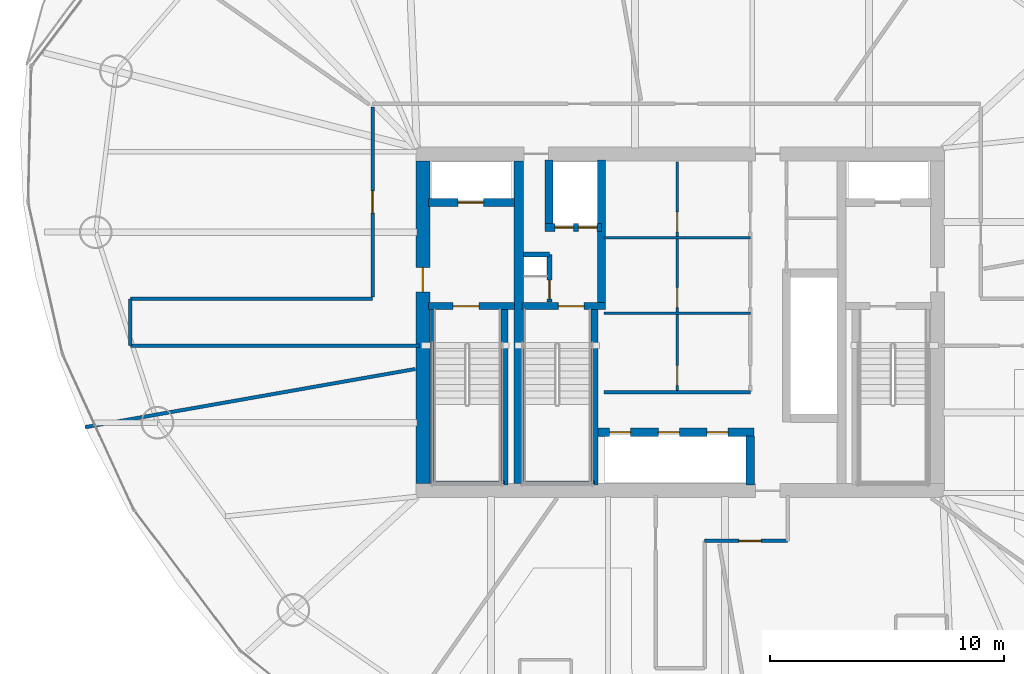
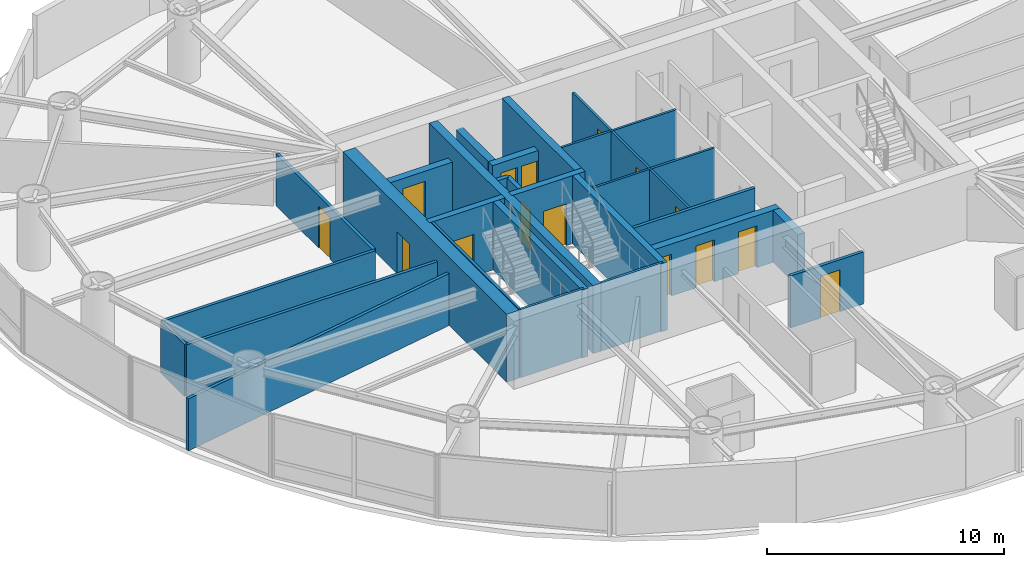
# One storey, part 15 of 20: 27 walls, 15 doors, 15 openings.
"""IFC4 building model written with IfcOpenShell, lengths in metres."""

from ifc_helpers import new_model, si_unit, direction, frame, frame_2d, origin, place, context, subcontext, project, spatial, rectangle, extrude, material, layer, layer_set, type_object, element, fill, save


model = new_model("IFC4")

# Units and contexts
model_context = context("Model", 3, precision=1e-05, world=origin(), true_north=direction((0.0, 1.0)))
body_context = subcontext(model_context, "Body", "Model", "MODEL_VIEW")
ifc_project = project(units=[si_unit("LENGTHUNIT", "METRE"), si_unit("AREAUNIT", "SQUARE_METRE"), si_unit("VOLUMEUNIT", "CUBIC_METRE"), si_unit("PLANEANGLEUNIT", "RADIAN"), si_unit("MASSUNIT", "GRAM", prefix="KILO")], contexts=[model_context])

# Site, building, storey
site_placement = place(None, origin())
site = spatial("IfcSite", under=ifc_project, at=site_placement, CompositionType="ELEMENT")
building_placement = place(site_placement, origin())
building = spatial("IfcBuilding", under=site, at=building_placement, Name="Bramvorn Convention Spire", CompositionType="ELEMENT")
storey_placement = place(building_placement, frame((0.0, 0.0, 155.300048828125)))
storey = spatial("IfcBuildingStorey", under=building, at=storey_placement, Name="L39", CompositionType="ELEMENT", Elevation=155.300048828125)

# Wall, opening, door
ifc_material_1 = material(Name="Concrete C60/70", Category="concrete")
ifc_layer_1 = layer(ifc_material_1, 0.60009765625)
ifc_layer_set_1 = layer_set([ifc_layer_1], Name="Concrete C60/70 - WL-CORE-600")
wall_type_1 = type_object("IfcWallType", Name="WL-CORE-600", PredefinedType="SHEAR", material=ifc_layer_set_1)
wall_1_placement = place(storey_placement, frame((27.0, 19.10009765625, 0.0), z_axis=(0.0, 0.0, 1.0), x_axis=(0.0, 1.0, 0.0)))
wall_1 = element("IfcWall", 1, at=wall_1_placement, inside=storey, type_object=wall_type_1, Name="L39 West RC core shear wall", PredefinedType="SHEAR", context=body_context, shape_type="SweptSolid", body=[
    extrude(rectangle(XDim=13.7998046875, YDim=0.60009765625, at=frame_2d((6.89990234375, 0.0))), origin(), (0.0, 0.0, 1.0), 3.5),
])
opening_1_placement = place(wall_1_placement, frame((8.199951171875, 0.0, 0.0)))
opening_1 = element("IfcOpeningElement", 2, at=opening_1_placement, cuts=wall_1, Name="Opening DL-105", PredefinedType="OPENING", context=body_context, shape_type="SweptSolid", body=[
    extrude(rectangle(XDim=1.050048828125, YDim=2.14990234375, at=frame_2d((0.52490234375, 1.074951171875))), frame((0.0, 0.31005859375, 0.0), z_axis=(0.0, -1.0, 0.0), x_axis=(1.0, 0.0, 0.0)), (0.0, 0.0, 1.0), 0.6201171875),
])
ifc_material_2 = material(Name="Smoke-Sealed Fire Lobby Timber-Core Door", Category="wood")
door_type_1 = type_object("IfcDoorType", Name="DR-LOBBY-1050", OperationType="NOTDEFINED", PredefinedType="DOOR", material=ifc_material_2)
door_1_placement = place(opening_1_placement, origin())
door_1 = element("IfcDoor", 3, at=door_1_placement, inside=storey, type_object=door_type_1, Name="L39 West Firefighting Lobby corridor door", OperationType="SINGLE_SWING_RIGHT", OverallHeight=2.14990234375, OverallWidth=1.050048828125, PredefinedType="DOOR", context=body_context, shape_type="SweptSolid", body=[
    extrude(rectangle(XDim=1.050048828125, YDim=2.14990234375, at=frame_2d((0.52490234375, 1.074951171875))), frame((0.0, 0.02490234375, 0.0), z_axis=(0.0, -1.0, 0.0), x_axis=(1.0, 0.0, 0.0)), (0.0, 0.0, 1.0), 0.050048828125),
])
fill(opening_1, door_1)

ifc_material_3 = material(Name="Concrete C50/60", Category="concrete")
ifc_layer_2 = layer(ifc_material_3, 0.35009765625)
ifc_layer_set_2 = layer_set([ifc_layer_2], Name="Concrete C50/60 - WL-CORE-INT-350")
wall_type_2 = type_object("IfcWallType", Name="WL-CORE-INT-350", PredefinedType="SHEAR", material=ifc_layer_set_2)
wall_2_placement = place(storey_placement, frame((27.25, 31.1201171875, 0.0), z_axis=(0.0, 0.0, 1.0), x_axis=(1.0, 0.0, 0.0)))
wall_2 = element("IfcWall", 4, at=wall_2_placement, inside=storey, type_object=wall_type_2, Name="L39 FE1 shaft front wall", PredefinedType="SHEAR", context=body_context, shape_type="SweptSolid", body=[
    extrude(rectangle(XDim=3.669921875, YDim=0.35009765625, at=frame_2d((1.8349609375, 0.0))), origin(), (0.0, 0.0, 1.0), 2.675048828125),
])
opening_2_placement = place(wall_2_placement, frame((1.25, 0.0, 0.0)))
opening_2 = element("IfcOpeningElement", 5, at=opening_2_placement, cuts=wall_2, Name="Opening LD-110", PredefinedType="OPENING", context=body_context, shape_type="SweptSolid", body=[
    extrude(rectangle(XDim=1.10009765625, YDim=2.14990234375, at=frame_2d((0.550048828125, 1.074951171875))), frame((0.0, 0.18505859375, 0.0), z_axis=(0.0, -1.0, 0.0), x_axis=(1.0, 0.0, 0.0)), (0.0, 0.0, 1.0), 0.3701171875),
])
ifc_material_4 = material(Name="Firefighting & Service Lift Sliding Landing Door", Category="steel")
door_type_2 = type_object("IfcDoorType", Name="DR-LIFT-LD-1100", OperationType="NOTDEFINED", PredefinedType="DOOR", material=ifc_material_4)
door_2_placement = place(opening_2_placement, origin())
door_2 = element("IfcDoor", 6, at=door_2_placement, inside=storey, type_object=door_type_2, Name="L39 Lift FE1 Sliding Landing Door", OperationType="SLIDING_TO_LEFT", OverallHeight=2.14990234375, OverallWidth=1.10009765625, PredefinedType="DOOR", context=body_context, shape_type="SweptSolid", body=[
    extrude(rectangle(XDim=1.10009765625, YDim=2.14990234375, at=frame_2d((0.550048828125, 1.074951171875))), frame((0.0, 0.02490234375, 0.0), z_axis=(0.0, -1.0, 0.0), x_axis=(1.0, 0.0, 0.0)), (0.0, 0.0, 1.0), 0.050048828125),
])
fill(opening_2, door_2)

# Wall
wall_3_placement = place(storey_placement, frame((34.639892578125, 26.68994140625, 0.0), z_axis=(0.0, 0.0, 1.0), x_axis=(0.0, 1.0, 0.0)))
element("IfcWall", 7, at=wall_3_placement, inside=storey, type_object=wall_type_2, Name="L39 SV east core shaft wall", PredefinedType="SHEAR", context=body_context, shape_type="SweptSolid", body=[
    extrude(rectangle(XDim=6.260009765625, YDim=0.35009765625, at=frame_2d((3.1298828125, 0.0))), origin(), (0.0, 0.0, 1.0), 3.5),
])

# Wall, openings, doors
wall_4_placement = place(storey_placement, frame((32.22998046875, 30.050048828125, 0.0), z_axis=(0.0, 0.0, 1.0), x_axis=(1.0, 0.0, 0.0)))
wall_4 = element("IfcWall", 8, at=wall_4_placement, inside=storey, type_object=wall_type_2, Name="L39 SV1/SV2 shaft front wall", PredefinedType="SHEAR", context=body_context, shape_type="SweptSolid", body=[
    extrude(rectangle(XDim=2.409912109375, YDim=0.35009765625, at=frame_2d((1.205078125, 0.0))), origin(), (0.0, 0.0, 1.0), 2.675048828125),
])
opening_3_placement = place(wall_4_placement, frame((0.419921875, 0.0, 0.0)))
opening_3 = element("IfcOpeningElement", 9, at=opening_3_placement, cuts=wall_4, Name="Opening LD-080", PredefinedType="OPENING", context=body_context, shape_type="SweptSolid", body=[
    extrude(rectangle(XDim=0.800048828125, YDim=2.14990234375, at=frame_2d((0.39990234375, 1.074951171875))), frame((0.0, 0.18505859375, 0.0), z_axis=(0.0, -1.0, 0.0), x_axis=(1.0, 0.0, 0.0)), (0.0, 0.0, 1.0), 0.3701171875),
])
opening_4_placement = place(wall_4_placement, frame((1.419921875, 0.0, 0.0)))
opening_4 = element("IfcOpeningElement", 10, at=opening_4_placement, cuts=wall_4, Name="Opening LD-080", PredefinedType="OPENING", context=body_context, shape_type="SweptSolid", body=[
    extrude(rectangle(XDim=0.800048828125, YDim=2.14990234375, at=frame_2d((0.39990234375, 1.074951171875))), frame((0.0, 0.18505859375, 0.0), z_axis=(0.0, -1.0, 0.0), x_axis=(1.0, 0.0, 0.0)), (0.0, 0.0, 1.0), 0.3701171875),
])
ifc_material_5 = material(Name="Service Lift Bi-Parting Landing Door", Category="steel")
door_type_3 = type_object("IfcDoorType", Name="DR-LIFT-LD-800", OperationType="NOTDEFINED", PredefinedType="DOOR", material=ifc_material_5)
door_3_placement = place(opening_3_placement, origin())
door_3 = element("IfcDoor", 11, at=door_3_placement, inside=storey, type_object=door_type_3, Name="L39 Lift SV1 Sliding Landing Door", OperationType="SLIDING_TO_LEFT", OverallHeight=2.14990234375, OverallWidth=0.800048828125, PredefinedType="DOOR", context=body_context, shape_type="SweptSolid", body=[
    extrude(rectangle(XDim=0.800048828125, YDim=2.14990234375, at=frame_2d((0.39990234375, 1.074951171875))), frame((0.0, 0.02490234375, 0.0), z_axis=(0.0, -1.0, 0.0), x_axis=(1.0, 0.0, 0.0)), (0.0, 0.0, 1.0), 0.050048828125),
])
fill(opening_3, door_3)
door_4_placement = place(opening_4_placement, origin())
door_4 = element("IfcDoor", 12, at=door_4_placement, inside=storey, type_object=door_type_3, Name="L39 Lift SV2 Sliding Landing Door", OperationType="SLIDING_TO_LEFT", OverallHeight=2.14990234375, OverallWidth=0.800048828125, PredefinedType="DOOR", context=body_context, shape_type="SweptSolid", body=[
    extrude(rectangle(XDim=0.800048828125, YDim=2.14990234375, at=frame_2d((0.39990234375, 1.074951171875))), frame((0.0, 0.02490234375, 0.0), z_axis=(0.0, -1.0, 0.0), x_axis=(1.0, 0.0, 0.0)), (0.0, 0.0, 1.0), 0.050048828125),
])
fill(opening_4, door_4)

# Wall
wall_5_placement = place(storey_placement, frame((32.39990234375, 30.219970703125, 0.0), z_axis=(0.0, 0.0, 1.0), x_axis=(0.0, 1.0, 0.0)))
element("IfcWall", 13, at=wall_5_placement, inside=storey, type_object=wall_type_2, Name="L39 SV1 west hoistway wall", PredefinedType="SHEAR", context=body_context, shape_type="SweptSolid", body=[
    extrude(rectangle(XDim=2.72998046875, YDim=0.35009765625, at=frame_2d((1.364990234375, 0.0))), origin(), (0.0, 0.0, 1.0), 2.675048828125),
])

# Wall, openings, doors
wall_6_placement = place(storey_placement, frame((34.489990234375, 21.300048828125, 0.0), z_axis=(0.0, 0.0, 1.0), x_axis=(1.0, 0.0, 0.0)))
wall_6 = element("IfcWall", 14, at=wall_6_placement, inside=storey, type_object=wall_type_2, Name="L39 Mid-rise bank north landing wall", PredefinedType="SHEAR", context=body_context, shape_type="SweptSolid", body=[
    extrude(rectangle(XDim=6.679931640625, YDim=0.35009765625, at=frame_2d((3.33984375, 0.0))), origin(), (0.0, 0.0, 1.0), 2.675048828125),
])
opening_5_placement = place(wall_6_placement, frame((0.5, 0.0, 0.0)))
opening_5 = element("IfcOpeningElement", 15, at=opening_5_placement, cuts=wall_6, Name="Opening LD-090", PredefinedType="OPENING", context=body_context, shape_type="SweptSolid", body=[
    extrude(rectangle(XDim=0.89990234375, YDim=2.14990234375, at=frame_2d((0.449951171875, 1.074951171875))), frame((0.0, 0.18505859375, 0.0), z_axis=(0.0, -1.0, 0.0), x_axis=(1.0, 0.0, 0.0)), (0.0, 0.0, 1.0), 0.3701171875),
])
opening_6_placement = place(wall_6_placement, frame((2.580078125, 0.0, 0.0)))
opening_6 = element("IfcOpeningElement", 16, at=opening_6_placement, cuts=wall_6, Name="Opening LD-090", PredefinedType="OPENING", context=body_context, shape_type="SweptSolid", body=[
    extrude(rectangle(XDim=0.89990234375, YDim=2.14990234375, at=frame_2d((0.449951171875, 1.074951171875))), frame((0.0, 0.18505859375, 0.0), z_axis=(0.0, -1.0, 0.0), x_axis=(1.0, 0.0, 0.0)), (0.0, 0.0, 1.0), 0.3701171875),
])
opening_7_placement = place(wall_6_placement, frame((4.659912109375, 0.0, 0.0)))
opening_7 = element("IfcOpeningElement", 17, at=opening_7_placement, cuts=wall_6, Name="Opening LD-090", PredefinedType="OPENING", context=body_context, shape_type="SweptSolid", body=[
    extrude(rectangle(XDim=0.89990234375, YDim=2.14990234375, at=frame_2d((0.449951171875, 1.074951171875))), frame((0.0, 0.18505859375, 0.0), z_axis=(0.0, -1.0, 0.0), x_axis=(1.0, 0.0, 0.0)), (0.0, 0.0, 1.0), 0.3701171875),
])
ifc_material_6 = material(Name="Bi-Parting Fire-Rated Lift Landing Door", Category="steel")
door_type_4 = type_object("IfcDoorType", Name="DR-LIFT-LD-900", OperationType="NOTDEFINED", PredefinedType="DOOR", material=ifc_material_6)
door_5_placement = place(opening_5_placement, origin())
door_5 = element("IfcDoor", 18, at=door_5_placement, inside=storey, type_object=door_type_4, Name="L39 Lift PM1 Sliding Landing Door", OperationType="SLIDING_TO_LEFT", OverallHeight=2.14990234375, OverallWidth=0.89990234375, PredefinedType="DOOR", context=body_context, shape_type="SweptSolid", body=[
    extrude(rectangle(XDim=0.89990234375, YDim=2.14990234375, at=frame_2d((0.449951171875, 1.074951171875))), frame((0.0, 0.02490234375, 0.0), z_axis=(0.0, -1.0, 0.0), x_axis=(1.0, 0.0, 0.0)), (0.0, 0.0, 1.0), 0.050048828125),
])
fill(opening_5, door_5)
door_6_placement = place(opening_6_placement, origin())
door_6 = element("IfcDoor", 19, at=door_6_placement, inside=storey, type_object=door_type_4, Name="L39 Lift PM2 Sliding Landing Door", OperationType="SLIDING_TO_LEFT", OverallHeight=2.14990234375, OverallWidth=0.89990234375, PredefinedType="DOOR", context=body_context, shape_type="SweptSolid", body=[
    extrude(rectangle(XDim=0.89990234375, YDim=2.14990234375, at=frame_2d((0.449951171875, 1.074951171875))), frame((0.0, 0.02490234375, 0.0), z_axis=(0.0, -1.0, 0.0), x_axis=(1.0, 0.0, 0.0)), (0.0, 0.0, 1.0), 0.050048828125),
])
fill(opening_6, door_6)
door_7_placement = place(opening_7_placement, origin())
door_7 = element("IfcDoor", 20, at=door_7_placement, inside=storey, type_object=door_type_4, Name="L39 Lift PM3 Sliding Landing Door", OperationType="SLIDING_TO_LEFT", OverallHeight=2.14990234375, OverallWidth=0.89990234375, PredefinedType="DOOR", context=body_context, shape_type="SweptSolid", body=[
    extrude(rectangle(XDim=0.89990234375, YDim=2.14990234375, at=frame_2d((0.449951171875, 1.074951171875))), frame((0.0, 0.02490234375, 0.0), z_axis=(0.0, -1.0, 0.0), x_axis=(1.0, 0.0, 0.0)), (0.0, 0.0, 1.0), 0.050048828125),
])
fill(opening_7, door_7)

# Walls
wall_7_placement = place(storey_placement, frame((41.0, 19.050048828125, 0.0), z_axis=(0.0, 0.0, 1.0), x_axis=(0.0, 1.0, 0.0)))
element("IfcWall", 21, at=wall_7_placement, inside=storey, type_object=wall_type_2, Name="L39 Mid-rise bank east cheek wall", PredefinedType="SHEAR", context=body_context, shape_type="SweptSolid", body=[
    extrude(rectangle(XDim=2.079833984375, YDim=0.35009765625, at=frame_2d((1.0400390625, 0.0))), origin(), (0.0, 0.0, 1.0), 2.675048828125),
])
ifc_layer_3 = layer(ifc_material_1, 0.39990234375)
ifc_layer_set_3 = layer_set([ifc_layer_3], Name="Concrete C60/70 - WL-CORE-INT-400")
wall_type_3 = type_object("IfcWallType", Name="WL-CORE-INT-400", PredefinedType="SHEAR", material=ifc_layer_set_3)
wall_8_placement = place(storey_placement, frame((31.10009765625, 19.10009765625, 0.0), z_axis=(0.0, 0.0, 1.0), x_axis=(0.0, 1.0, 0.0)))
element("IfcWall", 22, at=wall_8_placement, inside=storey, type_object=wall_type_3, Name="L39 West internal core shear web", PredefinedType="SHEAR", context=body_context, shape_type="SweptSolid", body=[
    extrude(rectangle(XDim=13.7998046875, YDim=0.39990234375, at=frame_2d((6.89990234375, 0.0))), origin(), (0.0, 0.0, 1.0), 3.5),
])

# Wall, openings, doors
ifc_material_7 = material(Name="Lightweight En-Suite & Wet-Wall Partition", Category="gypsum")
ifc_layer_4 = layer(ifc_material_7, 0.110107421875)
ifc_layer_set_4 = layer_set([ifc_layer_4], Name="Lightweight En-Suite & Wet-Wall Partition - WL-PART-110")
wall_type_4 = type_object("IfcWallType", Name="WL-PART-110", PredefinedType="PARTITIONING", material=ifc_layer_set_4)
wall_9_placement = place(storey_placement, frame((37.8798828125, 23.050048828125, 0.0), z_axis=(0.0, 0.0, 1.0), x_axis=(0.0, 1.0, 0.0)))
wall_9 = element("IfcWall", 23, at=wall_9_placement, inside=storey, type_object=wall_type_4, Name="L39 KB center wall", PredefinedType="PARTITIONING", context=body_context, shape_type="SweptSolid", body=[
    extrude(rectangle(XDim=9.800048828125, YDim=0.110107421875, at=frame_2d((4.89990234375, 0.0))), origin(), (0.0, 0.0, 1.0), 2.675048828125),
])
opening_8_placement = place(wall_9_placement, frame((0.25, 0.0, 0.0)))
opening_8 = element("IfcOpeningElement", 24, at=opening_8_placement, cuts=wall_9, Name="Opening DC-085", PredefinedType="OPENING", context=body_context, shape_type="SweptSolid", body=[
    extrude(rectangle(XDim=0.85009765625, YDim=2.10009765625, at=frame_2d((0.425048828125, 1.050048828125))), frame((0.0, 0.06494140625, 0.0), z_axis=(0.0, -1.0, 0.0), x_axis=(1.0, 0.0, 0.0)), (0.0, 0.0, 1.0), 0.130126953125),
])
opening_9_placement = place(wall_9_placement, frame((3.58203125, 0.0, 0.0)))
opening_9 = element("IfcOpeningElement", 25, at=opening_9_placement, cuts=wall_9, Name="Opening DC-085", PredefinedType="OPENING", context=body_context, shape_type="SweptSolid", body=[
    extrude(rectangle(XDim=0.85009765625, YDim=2.10009765625, at=frame_2d((0.425048828125, 1.050048828125))), frame((0.0, 0.06494140625, 0.0), z_axis=(0.0, -1.0, 0.0), x_axis=(1.0, 0.0, 0.0)), (0.0, 0.0, 1.0), 0.130126953125),
])
opening_10_placement = place(wall_9_placement, frame((6.81591796875, 0.0, 0.0)))
opening_10 = element("IfcOpeningElement", 26, at=opening_10_placement, cuts=wall_9, Name="Opening DC-085", PredefinedType="OPENING", context=body_context, shape_type="SweptSolid", body=[
    extrude(rectangle(XDim=0.85009765625, YDim=2.10009765625, at=frame_2d((0.425048828125, 1.050048828125))), frame((0.0, 0.06494140625, 0.0), z_axis=(0.0, -1.0, 0.0), x_axis=(1.0, 0.0, 0.0)), (0.0, 0.0, 1.0), 0.130126953125),
])
ifc_material_8 = material(Name="Fire-Rated Core Washroom & IDF Door", Category="wood")
door_type_5 = type_object("IfcDoorType", Name="DR-CORE-850", OperationType="NOTDEFINED", PredefinedType="DOOR", material=ifc_material_8)
door_8_placement = place(opening_8_placement, origin())
door_8 = element("IfcDoor", 27, at=door_8_placement, inside=storey, type_object=door_type_5, Name="L39 Core Linen Store door", OperationType="SINGLE_SWING_LEFT", OverallHeight=2.10009765625, OverallWidth=0.85009765625, PredefinedType="DOOR", context=body_context, shape_type="SweptSolid", body=[
    extrude(rectangle(XDim=0.85009765625, YDim=2.10009765625, at=frame_2d((0.425048828125, 1.050048828125))), frame((0.0, 0.02490234375, 0.0), z_axis=(0.0, -1.0, 0.0), x_axis=(1.0, 0.0, 0.0)), (0.0, 0.0, 1.0), 0.050048828125),
])
fill(opening_8, door_8)
door_9_placement = place(opening_9_placement, origin())
door_9 = element("IfcDoor", 28, at=door_9_placement, inside=storey, type_object=door_type_5, Name="L39 Core Metering Closet door", OperationType="SINGLE_SWING_LEFT", OverallHeight=2.10009765625, OverallWidth=0.85009765625, PredefinedType="DOOR", context=body_context, shape_type="SweptSolid", body=[
    extrude(rectangle(XDim=0.85009765625, YDim=2.10009765625, at=frame_2d((0.425048828125, 1.050048828125))), frame((0.0, 0.02490234375, 0.0), z_axis=(0.0, -1.0, 0.0), x_axis=(1.0, 0.0, 0.0)), (0.0, 0.0, 1.0), 0.050048828125),
])
fill(opening_9, door_9)
door_10_placement = place(opening_10_placement, origin())
door_10 = element("IfcDoor", 29, at=door_10_placement, inside=storey, type_object=door_type_5, Name="L39 Core Janitor Supply door", OperationType="SINGLE_SWING_LEFT", OverallHeight=2.10009765625, OverallWidth=0.85009765625, PredefinedType="DOOR", context=body_context, shape_type="SweptSolid", body=[
    extrude(rectangle(XDim=0.85009765625, YDim=2.10009765625, at=frame_2d((0.425048828125, 1.050048828125))), frame((0.0, 0.02490234375, 0.0), z_axis=(0.0, -1.0, 0.0), x_axis=(1.0, 0.0, 0.0)), (0.0, 0.0, 1.0), 0.050048828125),
])
fill(opening_10, door_10)

# Walls
for number, where, z_axis, x_axis, name in (
    (30, (34.75, 26.382080078125, 0.0), (0.0, 0.0, 1.0), (1.0, 0.0, 0.0), "L39 KB divider 1"),
    (31, (34.75, 29.615966796875, 0.0), (0.0, 0.0, 1.0), (1.0, 0.0, 0.0), "L39 KB divider 2"),
):
    element("IfcWall", number, at=place(storey_placement, frame(where, z_axis=z_axis, x_axis=x_axis)), inside=storey, type_object=wall_type_4, Name=name, PredefinedType="PARTITIONING", context=body_context, shape_type="SweptSolid", body=[
        extrude(rectangle(XDim=6.25, YDim=0.110107421875, at=frame_2d((3.125, 0.0))), origin(), (0.0, 0.0, 1.0), 2.675048828125),
    ])
ifc_material_9 = material(Name="Acoustic Metal-Stud Tenant/Corridor Partition", Category="gypsum")
ifc_layer_5 = layer(ifc_material_9, 0.14990234375)
ifc_layer_set_5 = layer_set([ifc_layer_5], Name="Acoustic Metal-Stud Tenant/Corridor Partition - WL-PART-150")
wall_type_5 = type_object("IfcWallType", Name="WL-PART-150", PredefinedType="PARTITIONING", material=ifc_layer_set_5)
wall_10_placement = place(storey_placement, frame((34.75, 23.0, 0.0), z_axis=(0.0, 0.0, 1.0), x_axis=(1.0, 0.0, 0.0)))
element("IfcWall", 32, at=wall_10_placement, inside=storey, type_object=wall_type_5, Name="L39 Mid-rise lift vestibule north wall", PredefinedType="PARTITIONING", context=body_context, shape_type="SweptSolid", body=[
    extrude(rectangle(XDim=6.25, YDim=0.14990234375, at=frame_2d((3.125, 0.0))), origin(), (0.0, 0.0, 1.0), 2.675048828125),
])

# Wall, opening, door
wall_11_placement = place(storey_placement, frame((24.85009765625, 27.080078125, 0.0), z_axis=(0.0, 0.0, 1.0), x_axis=(0.0, 1.0, 0.0)))
wall_11 = element("IfcWall", 33, at=wall_11_placement, inside=storey, type_object=wall_type_5, Name="L39 NW gallery cheek", PredefinedType="PARTITIONING", context=body_context, shape_type="SweptSolid", body=[
    extrude(rectangle(XDim=8.119873046875, YDim=0.14990234375, at=frame_2d((4.06005859375, 0.0))), origin(), (0.0, 0.0, 1.0), 2.675048828125),
])
opening_11_placement = place(wall_11_placement, frame((3.5849609375, 0.0, 0.0)))
opening_11 = element("IfcOpeningElement", 34, at=opening_11_placement, cuts=wall_11, Name="Opening DH-095", PredefinedType="OPENING", context=body_context, shape_type="SweptSolid", body=[
    extrude(rectangle(XDim=0.949951171875, YDim=2.14990234375, at=frame_2d((0.47509765625, 1.074951171875))), frame((0.0, 0.0849609375, 0.0), z_axis=(0.0, -1.0, 0.0), x_axis=(1.0, 0.0, 0.0)), (0.0, 0.0, 1.0), 0.169921875),
])
ifc_material_10 = material(Name="Solid-Core Acoustic Guestroom Entry Door", Category="wood")
door_type_6 = type_object("IfcDoorType", Name="DR-HOTEL-950", OperationType="NOTDEFINED", PredefinedType="DOOR", material=ifc_material_10)
door_11_placement = place(opening_11_placement, origin())
door_11 = element("IfcDoor", 35, at=door_11_placement, inside=storey, type_object=door_type_6, Name="L39 Hospitality Lounge 3 door", OperationType="SINGLE_SWING_RIGHT", OverallHeight=2.14990234375, OverallWidth=0.949951171875, PredefinedType="DOOR", context=body_context, shape_type="SweptSolid", body=[
    extrude(rectangle(XDim=0.949951171875, YDim=2.14990234375, at=frame_2d((0.47509765625, 1.074951171875))), frame((0.0, 0.02490234375, 0.0), z_axis=(0.0, -1.0, 0.0), x_axis=(1.0, 0.0, 0.0)), (0.0, 0.0, 1.0), 0.050048828125),
])
fill(opening_11, door_11)

# Walls
wall_12_placement = place(storey_placement, frame((14.5, 27.0, 0.0), z_axis=(0.0, 0.0, 1.0), x_axis=(1.0, 0.0, 0.0)))
element("IfcWall", 36, at=wall_12_placement, inside=storey, type_object=wall_type_5, Name="L39 West wing spine north wall", PredefinedType="PARTITIONING", context=body_context, shape_type="SweptSolid", body=[
    extrude(rectangle(XDim=10.35009765625, YDim=0.14990234375, at=frame_2d((5.175048828125, 0.0))), origin(), (0.0, 0.0, 1.0), 2.675048828125),
])
wall_13_placement = place(storey_placement, frame((14.5, 25.0, 0.0), z_axis=(0.0, 0.0, 1.0), x_axis=(1.0, 0.0, 0.0)))
element("IfcWall", 37, at=wall_13_placement, inside=storey, type_object=wall_type_5, Name="L39 West wing spine south wall", PredefinedType="PARTITIONING", context=body_context, shape_type="SweptSolid", body=[
    extrude(rectangle(XDim=12.35009765625, YDim=0.14990234375, at=frame_2d((6.175048828125, 0.0))), origin(), (0.0, 0.0, 1.0), 2.675048828125),
])
wall_14_placement = place(storey_placement, frame((14.5, 25.0, 0.0), z_axis=(0.0, 0.0, 1.0), x_axis=(0.0, 1.0, 0.0)))
element("IfcWall", 38, at=wall_14_placement, inside=storey, type_object=wall_type_5, Name="L39 West wing spine end wall", PredefinedType="PARTITIONING", context=body_context, shape_type="SweptSolid", body=[
    extrude(rectangle(XDim=2.0, YDim=0.14990234375, at=frame_2d((1.0, 0.0))), origin(), (0.0, 0.0, 1.0), 2.675048828125),
])

# Wall, opening, door
wall_15_placement = place(storey_placement, frame((39.050048828125, 16.64990234375, 0.0), z_axis=(0.0, 0.0, 1.0), x_axis=(1.0, 0.0, 0.0)))
wall_15 = element("IfcWall", 39, at=wall_15_placement, inside=storey, type_object=wall_type_5, Name="L39 South lift lobby link wall", PredefinedType="PARTITIONING", context=body_context, shape_type="SweptSolid", body=[
    extrude(rectangle(XDim=3.550048828125, YDim=0.14990234375, at=frame_2d((1.77490234375, 0.0))), origin(), (0.0, 0.0, 1.0), 2.675048828125),
])
opening_12_placement = place(wall_15_placement, frame((1.461669921875, 0.0, 0.0)))
opening_12 = element("IfcOpeningElement", 40, at=opening_12_placement, cuts=wall_15, Name="Opening DH-095", PredefinedType="OPENING", context=body_context, shape_type="SweptSolid", body=[
    extrude(rectangle(XDim=0.949951171875, YDim=2.14990234375, at=frame_2d((0.47509765625, 1.074951171875))), frame((0.0, 0.0849609375, 0.0), z_axis=(0.0, -1.0, 0.0), x_axis=(1.0, 0.0, 0.0)), (0.0, 0.0, 1.0), 0.169921875),
])
door_12_placement = place(opening_12_placement, origin())
door_12 = element("IfcDoor", 41, at=door_12_placement, inside=storey, type_object=door_type_6, Name="Hotel Suite 3907 entry door", OperationType="SINGLE_SWING_RIGHT", OverallHeight=2.14990234375, OverallWidth=0.949951171875, PredefinedType="DOOR", context=body_context, shape_type="SweptSolid", body=[
    extrude(rectangle(XDim=0.949951171875, YDim=2.14990234375, at=frame_2d((0.47509765625, 1.074951171875))), frame((0.0, 0.02490234375, 0.0), z_axis=(0.0, -1.0, 0.0), x_axis=(1.0, 0.0, 0.0)), (0.0, 0.0, 1.0), 0.050048828125),
])
fill(opening_12, door_12)

# Wall
wall_16_placement = place(storey_placement, frame((26.679931640625, 24.00390625, 0.0), z_axis=(0.0, 0.0, 1.0), x_axis=(-0.984808580082, -0.173643487056, 0.0)))
element("IfcWall", 42, at=wall_16_placement, inside=storey, type_object=wall_type_5, Name="L39 Guestroom demising wall 5", PredefinedType="PARTITIONING", context=body_context, shape_type="SweptSolid", body=[
    extrude(rectangle(XDim=14.33544921875, YDim=0.14990234375, at=frame_2d((7.167724609375, 0.0))), origin(), (0.0, 0.0, 1.0), 2.675048828125),
])

# Wall, opening, door
ifc_material_11 = material(Name="Gypsum Shaftwall & Rockwool Core Partition", Category="gypsum")
ifc_layer_6 = layer(ifc_material_11, 0.199951171875)
ifc_layer_set_6 = layer_set([ifc_layer_6], Name="Gypsum Shaftwall & Rockwool Core Partition - WL-PART-200-FR")
wall_type_6 = type_object("IfcWallType", Name="WL-PART-200-FR", PredefinedType="PARTITIONING", material=ifc_layer_set_6)
wall_17_placement = place(storey_placement, frame((32.419921875, 26.860107421875, 0.0), z_axis=(0.0, 0.0, 1.0), x_axis=(0.0, 1.0, 0.0)))
wall_17 = element("IfcWall", 43, at=wall_17_placement, inside=storey, type_object=wall_type_6, Name="L39 Telecom riser east wall", PredefinedType="PARTITIONING", context=body_context, shape_type="SweptSolid", body=[
    extrude(rectangle(XDim=2.039794921875, YDim=0.199951171875, at=frame_2d((1.02001953125, 0.0))), origin(), (0.0, 0.0, 1.0), 2.675048828125),
])
opening_13_placement = place(wall_17_placement, frame((0.139892578125, 0.0, 0.0)))
opening_13 = element("IfcOpeningElement", 44, at=opening_13_placement, cuts=wall_17, Name="Opening DR-080", PredefinedType="OPENING", context=body_context, shape_type="SweptSolid", body=[
    extrude(rectangle(XDim=0.800048828125, YDim=2.050048828125, at=frame_2d((0.39990234375, 1.02490234375))), frame((0.0, 0.10986328125, 0.0), z_axis=(0.0, -1.0, 0.0), x_axis=(1.0, 0.0, 0.0)), (0.0, 0.0, 1.0), 0.219970703125),
])
ifc_material_12 = material(Name="Flush Steel Riser Access Door", Category="steel")
door_type_7 = type_object("IfcDoorType", Name="DR-RISER-800", OperationType="NOTDEFINED", PredefinedType="DOOR", material=ifc_material_12)
door_13_placement = place(opening_13_placement, origin())
door_13 = element("IfcDoor", 45, at=door_13_placement, inside=storey, type_object=door_type_7, Name="L39 Telecom riser access door", OperationType="SINGLE_SWING_RIGHT", OverallHeight=2.050048828125, OverallWidth=0.800048828125, PredefinedType="DOOR", context=body_context, shape_type="SweptSolid", body=[
    extrude(rectangle(XDim=0.800048828125, YDim=2.050048828125, at=frame_2d((0.39990234375, 1.02490234375))), frame((0.0, 0.02490234375, 0.0), z_axis=(0.0, -1.0, 0.0), x_axis=(1.0, 0.0, 0.0)), (0.0, 0.0, 1.0), 0.050048828125),
])
fill(opening_13, door_13)

# Wall
wall_18_placement = place(storey_placement, frame((31.300048828125, 28.89990234375, 0.0), z_axis=(0.0, 0.0, 1.0), x_axis=(1.0, 0.0, 0.0)))
element("IfcWall", 46, at=wall_18_placement, inside=storey, type_object=wall_type_6, Name="L39 Telecom riser north wall", PredefinedType="PARTITIONING", context=body_context, shape_type="SweptSolid", body=[
    extrude(rectangle(XDim=1.119873046875, YDim=0.199951171875, at=frame_2d((0.56005859375, 0.0))), origin(), (0.0, 0.0, 1.0), 2.675048828125),
])

# Wall, opening, door
ifc_layer_7 = layer(ifc_material_3, 0.300048828125)
ifc_layer_set_7 = layer_set([ifc_layer_7], Name="Concrete C50/60 - WL-POD-STAIR-300")
wall_type_7 = type_object("IfcWallType", Name="WL-POD-STAIR-300", PredefinedType="SHEAR", material=ifc_layer_set_7)
wall_19_placement = place(storey_placement, frame((27.25, 26.68994140625, 0.0), z_axis=(0.0, 0.0, 1.0), x_axis=(1.0, 0.0, 0.0)))
wall_19 = element("IfcWall", 47, at=wall_19_placement, inside=storey, type_object=wall_type_7, Name="L39 ST1 north fire wall", PredefinedType="SHEAR", context=body_context, shape_type="SweptSolid", body=[
    extrude(rectangle(XDim=3.669921875, YDim=0.300048828125, at=frame_2d((1.8349609375, 0.0))), origin(), (0.0, 0.0, 1.0), 3.5),
])
opening_14_placement = place(wall_19_placement, frame((1.050048828125, 0.0, 0.0)))
opening_14 = element("IfcOpeningElement", 48, at=opening_14_placement, cuts=wall_19, Name="Opening DS-110", PredefinedType="OPENING", context=body_context, shape_type="SweptSolid", body=[
    extrude(rectangle(XDim=1.10009765625, YDim=2.14990234375, at=frame_2d((0.550048828125, 1.074951171875))), frame((0.0, 0.159912109375, 0.0), z_axis=(0.0, -1.0, 0.0), x_axis=(1.0, 0.0, 0.0)), (0.0, 0.0, 1.0), 0.320068359375),
])
ifc_material_13 = material(Name="Fire-Rated Hollow Steel Stairwell Door", Category="steel")
door_type_8 = type_object("IfcDoorType", Name="DR-STAIR-1100", OperationType="NOTDEFINED", PredefinedType="DOOR", material=ifc_material_13)
door_14_placement = place(opening_14_placement, origin())
door_14 = element("IfcDoor", 49, at=door_14_placement, inside=storey, type_object=door_type_8, Name="L39 Stair ST1 fire door", OperationType="SINGLE_SWING_LEFT", OverallHeight=2.14990234375, OverallWidth=1.10009765625, PredefinedType="DOOR", context=body_context, shape_type="SweptSolid", body=[
    extrude(rectangle(XDim=1.10009765625, YDim=2.14990234375, at=frame_2d((0.550048828125, 1.074951171875))), frame((0.0, 0.02490234375, 0.0), z_axis=(0.0, -1.0, 0.0), x_axis=(1.0, 0.0, 0.0)), (0.0, 0.0, 1.0), 0.050048828125),
])
fill(opening_14, door_14)

# Walls
for number, where, z_axis, x_axis, name in (
    (50, (30.489990234375, 19.050048828125, 0.0), (0.0, 0.0, 1.0), (0.0, 1.0, 0.0), "L39 ST1 east bearing wall"),
    (51, (34.340087890625, 19.050048828125, 0.0), (0.0, 0.0, 1.0), (0.0, 1.0, 0.0), "L39 ST3 east bearing wall"),
):
    element("IfcWall", number, at=place(storey_placement, frame(where, z_axis=z_axis, x_axis=x_axis)), inside=storey, type_object=wall_type_7, Name=name, PredefinedType="SHEAR", context=body_context, shape_type="SweptSolid", body=[
        extrude(rectangle(XDim=7.5, YDim=0.300048828125, at=frame_2d((3.75, 0.0))), origin(), (0.0, 0.0, 1.0), 3.5),
    ])

# Wall, opening, door
wall_20_placement = place(storey_placement, frame((31.25, 26.68994140625, 0.0), z_axis=(0.0, 0.0, 1.0), x_axis=(1.0, 0.0, 0.0)))
wall_20 = element("IfcWall", 52, at=wall_20_placement, inside=storey, type_object=wall_type_7, Name="L39 ST3 north lobby wall", PredefinedType="SHEAR", context=body_context, shape_type="SweptSolid", body=[
    extrude(rectangle(XDim=3.56005859375, YDim=0.300048828125, at=frame_2d((1.780029296875, 0.0))), origin(), (0.0, 0.0, 1.0), 3.5),
])
opening_15_placement = place(wall_20_placement, frame((1.550048828125, 0.0, 0.0)))
opening_15 = element("IfcOpeningElement", 53, at=opening_15_placement, cuts=wall_20, Name="Opening DS-110", PredefinedType="OPENING", context=body_context, shape_type="SweptSolid", body=[
    extrude(rectangle(XDim=1.10009765625, YDim=2.14990234375, at=frame_2d((0.550048828125, 1.074951171875))), frame((0.0, 0.159912109375, 0.0), z_axis=(0.0, -1.0, 0.0), x_axis=(1.0, 0.0, 0.0)), (0.0, 0.0, 1.0), 0.320068359375),
])
door_15_placement = place(opening_15_placement, origin())
door_15 = element("IfcDoor", 54, at=door_15_placement, inside=storey, type_object=door_type_8, Name="L39 Stair ST3 fire door", OperationType="SINGLE_SWING_LEFT", OverallHeight=2.14990234375, OverallWidth=1.10009765625, PredefinedType="DOOR", context=body_context, shape_type="SweptSolid", body=[
    extrude(rectangle(XDim=1.10009765625, YDim=2.14990234375, at=frame_2d((0.550048828125, 1.074951171875))), frame((0.0, 0.02490234375, 0.0), z_axis=(0.0, -1.0, 0.0), x_axis=(1.0, 0.0, 0.0)), (0.0, 0.0, 1.0), 0.050048828125),
])
fill(opening_15, door_15)

# Walls
ifc_layer_8 = layer(ifc_material_3, 0.1201171875)
ifc_layer_set_8 = layer_set([ifc_layer_8], Name="Concrete C50/60 - WL-STAIR-RC-120")
wall_type_8 = type_object("IfcWallType", Name="WL-STAIR-RC-120", PredefinedType="SHEAR", material=ifc_layer_set_8)
wall_21_placement = place(storey_placement, frame((27.39501953125, 19.10009765625, 0.0), z_axis=(0.0, 0.0, 1.0), x_axis=(0.0, 1.0, 0.0)))
element("IfcWall", 55, at=wall_21_placement, inside=storey, type_object=wall_type_8, Name="L39 ST1 west bearing shear wall", PredefinedType="SHEAR", context=body_context, shape_type="SweptSolid", body=[
    extrude(rectangle(XDim=7.449951171875, YDim=0.1201171875, at=frame_2d((3.72509765625, 0.0))), origin(), (0.0, 0.0, 1.0), 3.5),
])
wall_22_placement = place(storey_placement, frame((27.39501953125, 19.159912109375, 0.0), z_axis=(0.0, 0.0, 1.0), x_axis=(1.0, 0.0, 0.0)))
element("IfcWall", 56, at=wall_22_placement, inside=storey, type_object=wall_type_8, Name="L39 ST1 south bearing shear wall", PredefinedType="SHEAR", context=body_context, shape_type="SweptSolid", body=[
    extrude(rectangle(XDim=3.094970703125, YDim=0.1201171875, at=frame_2d((1.54736328125, 0.0))), origin(), (0.0, 0.0, 1.0), 3.5),
])
wall_23_placement = place(storey_placement, frame((31.300048828125, 19.159912109375, 0.0), z_axis=(0.0, 0.0, 1.0), x_axis=(1.0, 0.0, 0.0)))
element("IfcWall", 57, at=wall_23_placement, inside=storey, type_object=wall_type_8, Name="L39 ST3 south bearing shear wall", PredefinedType="SHEAR", context=body_context, shape_type="SweptSolid", body=[
    extrude(rectangle(XDim=3.0400390625, YDim=0.1201171875, at=frame_2d((1.52001953125, 0.0))), origin(), (0.0, 0.0, 1.0), 3.5),
])

save(model, "model.ifc")
